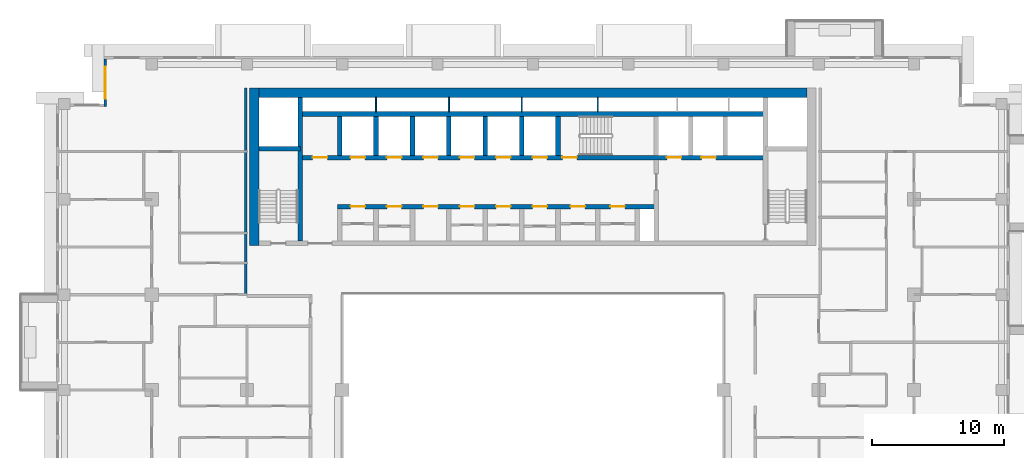
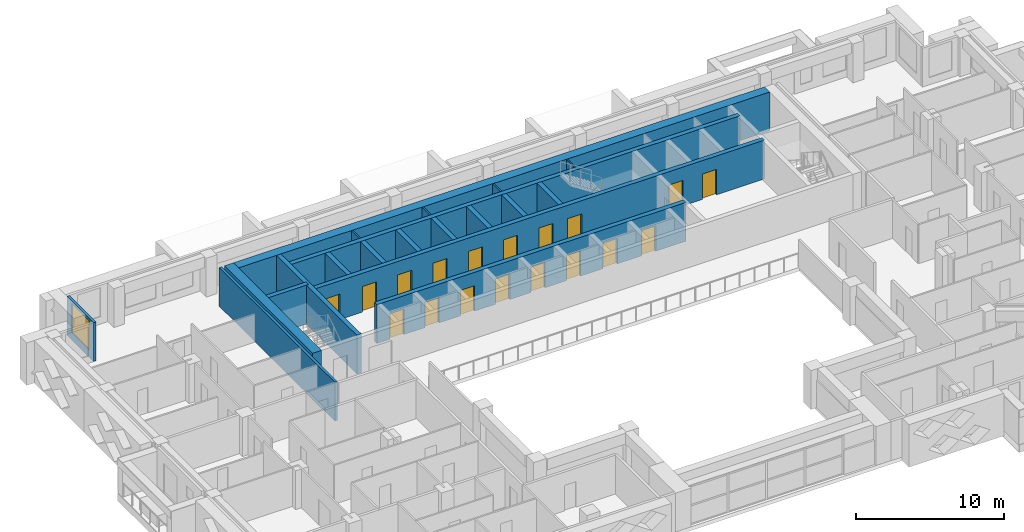
# One storey, part 10 of 20: 20 walls, 18 doors, 1 window, 19 openings.
"""IFC4 building model written with IfcOpenShell, lengths in metres."""

from ifc_helpers import new_model, si_unit, direction, frame, frame_2d, origin, place, context, subcontext, project, spatial, rectangle, extrude, material, layer, layer_set, type_object, element, fill, save


model = new_model("IFC4")

# Units and contexts
model_context = context("Model", 3, precision=1e-05, world=origin(), true_north=direction((0.0, 1.0)))
body_context = subcontext(model_context, "Body", "Model", "MODEL_VIEW")
ifc_project = project(units=[si_unit("LENGTHUNIT", "METRE"), si_unit("AREAUNIT", "SQUARE_METRE"), si_unit("VOLUMEUNIT", "CUBIC_METRE"), si_unit("PLANEANGLEUNIT", "RADIAN"), si_unit("MASSUNIT", "GRAM", prefix="KILO")], contexts=[model_context])

# Site, building, storey
site_placement = place(None, origin())
site = spatial("IfcSite", under=ifc_project, at=site_placement, CompositionType="ELEMENT")
building_placement = place(site_placement, origin())
building = spatial("IfcBuilding", under=site, at=building_placement, Name="Saffron Iwan Residences", CompositionType="ELEMENT")
storey_placement = place(building_placement, frame((0.0, 0.0, 143.0)))
storey = spatial("IfcBuildingStorey", under=building, at=storey_placement, Name="L37", CompositionType="ELEMENT", Elevation=143.0)

# Wall, opening, window
ifc_material_1 = material(Name="Concrete C40/50", Category="concrete")
ifc_layer_1 = layer(ifc_material_1, 0.199951171875)
ifc_layer_set_1 = layer_set([ifc_layer_1], Name="Concrete C40/50")
wall_type_1 = type_object("IfcWallType", Name="EXTERNAL WALL 200", PredefinedType="SOLIDWALL", material=ifc_layer_set_1)
wall_1_placement = place(storey_placement, frame((18.10009765625, 80.199951171875, 0.0), z_axis=(0.0, 0.0, 1.0), x_axis=(0.0, -1.0, 0.0)))
wall_1 = element("IfcWall", 1, at=wall_1_placement, inside=storey, type_object=wall_type_1, Name="External wall L37 F6.0", PredefinedType="SOLIDWALL", context=body_context, shape_type="SweptSolid", body=[
    extrude(rectangle(XDim=3.599853515625, YDim=0.199951171875, at=frame_2d((1.7998046875, 0.0))), origin(), (0.0, 0.0, 1.0), 3.199951171875),
])
opening_1_placement = place(wall_1_placement, frame((0.60009765625, 0.0, 0.60009765625)))
opening_1 = element("IfcOpeningElement", 2, at=opening_1_placement, cuts=wall_1, Name="Opening W1", PredefinedType="OPENING", context=body_context, shape_type="SweptSolid", body=[
    extrude(rectangle(XDim=2.39990234375, YDim=2.39990234375, at=frame_2d((1.199951171875, 1.199951171875))), frame((0.0, 0.10986328125, 0.0), z_axis=(0.0, -1.0, 0.0), x_axis=(1.0, 0.0, 0.0)), (0.0, 0.0, 1.0), 0.219970703125),
])
ifc_material_2 = material(Name="Clear glass, laminated double glazed", Category="glass")
window_type = type_object("IfcWindowType", Name="WINDOW 2400 x 2400", PartitioningType="DOUBLE_PANEL_VERTICAL", PredefinedType="WINDOW", material=ifc_material_2)
window_placement = place(opening_1_placement, origin())
window = element("IfcWindow", 3, at=window_placement, inside=storey, type_object=window_type, Name="Window L37 F6.0", OverallHeight=2.39990234375, OverallWidth=2.39990234375, PartitioningType="DOUBLE_PANEL_VERTICAL", PredefinedType="WINDOW", context=body_context, shape_type="SweptSolid", body=[
    extrude(rectangle(XDim=2.39990234375, YDim=2.39990234375, at=frame_2d((1.199951171875, 1.199951171875))), frame((0.0, 0.030029296875, 0.0), z_axis=(0.0, -1.0, 0.0), x_axis=(1.0, 0.0, 0.0)), (0.0, 0.0, 1.0), 0.06005859375),
])
fill(opening_1, window)

# Walls
ifc_material_3 = material(Name="Fire-rated gypsum board wall")
ifc_layer_2 = layer(ifc_material_3, 0.199951171875)
ifc_layer_set_2 = layer_set([ifc_layer_2], Name="Fire-rated gypsum board wall")
wall_type_2 = type_object("IfcWallType", Name="Gallery wall 200", PredefinedType="SOLIDWALL", material=ifc_layer_set_2)
wall_2_placement = place(storey_placement, frame((28.699951171875, 62.39990234375, 0.0), z_axis=(0.0, 0.0, 1.0), x_axis=(0.0, 1.0, 0.0)))
element("IfcWall", 4, at=wall_2_placement, inside=storey, type_object=wall_type_2, Name="W-L37-CORR-v28.8-62.4", PredefinedType="SOLIDWALL", context=body_context, shape_type="SweptSolid", body=[
    extrude(rectangle(XDim=15.60009765625, YDim=0.199951171875, at=frame_2d((7.800048828125, 0.0))), origin(), (0.0, 0.0, 1.0), 3.199951171875),
])
ifc_material_4 = material(Name="Fire-rated plasterboard partition")
ifc_layer_3 = layer(ifc_material_4, 0.10009765625)
ifc_layer_set_3 = layer_set([ifc_layer_3], Name="Fire-rated plasterboard partition")
wall_type_3 = type_object("IfcWallType", Name="Riser partition 100", PredefinedType="PARTITIONING", material=ifc_layer_set_3)
for number, where, z_axis, x_axis, name in (
    (5, (38.550048828125, 76.22509765625, 0.0), (0.0, 0.0, 1.0), (0.0, 1.0, 0.0), "Core partition P08"),
    (6, (44.050048828125, 76.22509765625, 0.0), (0.0, 0.0, 1.0), (0.0, 1.0, 0.0), "Core partition P09"),
    (7, (49.550048828125, 76.22509765625, 0.0), (0.0, 0.0, 1.0), (0.0, 1.0, 0.0), "Core partition P10"),
    (8, (55.300048828125, 76.22509765625, 0.0), (0.0, 0.0, 1.0), (0.0, 1.0, 0.0), "Core partition P11"),
):
    element("IfcWall", number, at=place(storey_placement, frame(where, z_axis=z_axis, x_axis=x_axis)), inside=storey, type_object=wall_type_3, Name=name, PredefinedType="PARTITIONING", context=body_context, shape_type="SweptSolid", body=[
        extrude(rectangle(XDim=1.074951171875, YDim=0.10009765625, at=frame_2d((0.53759765625, 0.0))), origin(), (0.0, 0.0, 1.0), 3.199951171875),
    ])

# Wall, openings, doors
ifc_material_5 = material(Name="Concrete C50/60", Category="concrete")
ifc_layer_4 = layer(ifc_material_5, 0.35009765625)
ifc_layer_set_4 = layer_set([ifc_layer_4], Name="Concrete C50/60")
wall_type_4 = type_object("IfcWallType", Name="WALL CORE 350 C50/60 3200 HIGH", PredefinedType="SHEAR", material=ifc_layer_set_4)
wall_3_placement = place(storey_placement, frame((35.625, 69.050048828125, 0.0), z_axis=(0.0, 0.0, 1.0), x_axis=(1.0, 0.0, 0.0)))
wall_3 = element("IfcWall", 9, at=wall_3_placement, inside=storey, type_object=wall_type_4, Name="Core wall", PredefinedType="SHEAR", context=body_context, shape_type="SweptSolid", body=[
    extrude(rectangle(XDim=24.10009765625, YDim=0.35009765625, at=frame_2d((12.050048828125, 0.0))), origin(), (0.0, 0.0, 1.0), 3.199951171875),
])
opening_2_placement = place(wall_3_placement, frame((1.0, 0.0, 0.0)))
opening_2 = element("IfcOpeningElement", 10, at=opening_2_placement, cuts=wall_3, Name="Opening SR", PredefinedType="OPENING", context=body_context, shape_type="SweptSolid", body=[
    extrude(rectangle(XDim=1.10009765625, YDim=2.10009765625, at=frame_2d((0.550048828125, 1.050048828125))), frame((0.0, 0.18505859375, 0.0), z_axis=(0.0, -1.0, 0.0), x_axis=(1.0, 0.0, 0.0)), (0.0, 0.0, 1.0), 0.3701171875),
])
opening_3_placement = place(wall_3_placement, frame((3.75, 0.0, 0.0)))
opening_3 = element("IfcOpeningElement", 11, at=opening_3_placement, cuts=wall_3, Name="Opening SR", PredefinedType="OPENING", context=body_context, shape_type="SweptSolid", body=[
    extrude(rectangle(XDim=1.10009765625, YDim=2.10009765625, at=frame_2d((0.550048828125, 1.050048828125))), frame((0.0, 0.18505859375, 0.0), z_axis=(0.0, -1.0, 0.0), x_axis=(1.0, 0.0, 0.0)), (0.0, 0.0, 1.0), 0.3701171875),
])
opening_4_placement = place(wall_3_placement, frame((6.5, 0.0, 0.0)))
opening_4 = element("IfcOpeningElement", 12, at=opening_4_placement, cuts=wall_3, Name="Opening SR", PredefinedType="OPENING", context=body_context, shape_type="SweptSolid", body=[
    extrude(rectangle(XDim=1.10009765625, YDim=2.10009765625, at=frame_2d((0.550048828125, 1.050048828125))), frame((0.0, 0.18505859375, 0.0), z_axis=(0.0, -1.0, 0.0), x_axis=(1.0, 0.0, 0.0)), (0.0, 0.0, 1.0), 0.3701171875),
])
opening_5_placement = place(wall_3_placement, frame((9.25, 0.0, 0.0)))
opening_5 = element("IfcOpeningElement", 13, at=opening_5_placement, cuts=wall_3, Name="Opening SR", PredefinedType="OPENING", context=body_context, shape_type="SweptSolid", body=[
    extrude(rectangle(XDim=1.10009765625, YDim=2.10009765625, at=frame_2d((0.550048828125, 1.050048828125))), frame((0.0, 0.18505859375, 0.0), z_axis=(0.0, -1.0, 0.0), x_axis=(1.0, 0.0, 0.0)), (0.0, 0.0, 1.0), 0.3701171875),
])
opening_6_placement = place(wall_3_placement, frame((12.0, 0.0, 0.0)))
opening_6 = element("IfcOpeningElement", 14, at=opening_6_placement, cuts=wall_3, Name="Opening SR", PredefinedType="OPENING", context=body_context, shape_type="SweptSolid", body=[
    extrude(rectangle(XDim=1.10009765625, YDim=2.10009765625, at=frame_2d((0.550048828125, 1.050048828125))), frame((0.0, 0.18505859375, 0.0), z_axis=(0.0, -1.0, 0.0), x_axis=(1.0, 0.0, 0.0)), (0.0, 0.0, 1.0), 0.3701171875),
])
opening_7_placement = place(wall_3_placement, frame((14.75, 0.0, 0.0)))
opening_7 = element("IfcOpeningElement", 15, at=opening_7_placement, cuts=wall_3, Name="Opening SR", PredefinedType="OPENING", context=body_context, shape_type="SweptSolid", body=[
    extrude(rectangle(XDim=1.10009765625, YDim=2.10009765625, at=frame_2d((0.550048828125, 1.050048828125))), frame((0.0, 0.18505859375, 0.0), z_axis=(0.0, -1.0, 0.0), x_axis=(1.0, 0.0, 0.0)), (0.0, 0.0, 1.0), 0.3701171875),
])
opening_8_placement = place(wall_3_placement, frame((17.625, 0.0, 0.0)))
opening_8 = element("IfcOpeningElement", 16, at=opening_8_placement, cuts=wall_3, Name="Opening SR", PredefinedType="OPENING", context=body_context, shape_type="SweptSolid", body=[
    extrude(rectangle(XDim=1.10009765625, YDim=2.10009765625, at=frame_2d((0.550048828125, 1.050048828125))), frame((0.0, 0.18505859375, 0.0), z_axis=(0.0, -1.0, 0.0), x_axis=(1.0, 0.0, 0.0)), (0.0, 0.0, 1.0), 0.3701171875),
])
opening_9_placement = place(wall_3_placement, frame((20.625, 0.0, 0.0)))
opening_9 = element("IfcOpeningElement", 17, at=opening_9_placement, cuts=wall_3, Name="Opening SR", PredefinedType="OPENING", context=body_context, shape_type="SweptSolid", body=[
    extrude(rectangle(XDim=1.10009765625, YDim=2.10009765625, at=frame_2d((0.550048828125, 1.050048828125))), frame((0.0, 0.18505859375, 0.0), z_axis=(0.0, -1.0, 0.0), x_axis=(1.0, 0.0, 0.0)), (0.0, 0.0, 1.0), 0.3701171875),
])
ifc_material_6 = material(Name="Steel fire door", Category="steel")
door_type_1 = type_object("IfcDoorType", Name="Service door 1100", OperationType="NOTDEFINED", PredefinedType="DOOR", material=ifc_material_6)
door_1_placement = place(opening_2_placement, origin())
door_1 = element("IfcDoor", 18, at=door_1_placement, inside=storey, type_object=door_type_1, Name="Door Switch room", OperationType="SINGLE_SWING_RIGHT", OverallHeight=2.10009765625, OverallWidth=1.10009765625, PredefinedType="DOOR", context=body_context, shape_type="SweptSolid", body=[
    extrude(rectangle(XDim=1.10009765625, YDim=2.10009765625, at=frame_2d((0.550048828125, 1.050048828125))), frame((0.0, 0.02490234375, 0.0), z_axis=(0.0, -1.0, 0.0), x_axis=(1.0, 0.0, 0.0)), (0.0, 0.0, 1.0), 0.050048828125),
])
fill(opening_2, door_1)
door_2_placement = place(opening_3_placement, origin())
door_2 = element("IfcDoor", 19, at=door_2_placement, inside=storey, type_object=door_type_1, Name="Door Furniture store", OperationType="SINGLE_SWING_LEFT", OverallHeight=2.10009765625, OverallWidth=1.10009765625, PredefinedType="DOOR", context=body_context, shape_type="SweptSolid", body=[
    extrude(rectangle(XDim=1.10009765625, YDim=2.10009765625, at=frame_2d((0.550048828125, 1.050048828125))), frame((0.0, 0.02490234375, 0.0), z_axis=(0.0, -1.0, 0.0), x_axis=(1.0, 0.0, 0.0)), (0.0, 0.0, 1.0), 0.050048828125),
])
fill(opening_3, door_2)
door_3_placement = place(opening_4_placement, origin())
door_3 = element("IfcDoor", 20, at=door_3_placement, inside=storey, type_object=door_type_1, Name="Door Housekeeping store", OperationType="SINGLE_SWING_RIGHT", OverallHeight=2.10009765625, OverallWidth=1.10009765625, PredefinedType="DOOR", context=body_context, shape_type="SweptSolid", body=[
    extrude(rectangle(XDim=1.10009765625, YDim=2.10009765625, at=frame_2d((0.550048828125, 1.050048828125))), frame((0.0, 0.02490234375, 0.0), z_axis=(0.0, -1.0, 0.0), x_axis=(1.0, 0.0, 0.0)), (0.0, 0.0, 1.0), 0.050048828125),
])
fill(opening_4, door_3)
door_4_placement = place(opening_5_placement, origin())
door_4 = element("IfcDoor", 21, at=door_4_placement, inside=storey, type_object=door_type_1, Name="Door Cleaner's store", OperationType="SINGLE_SWING_LEFT", OverallHeight=2.10009765625, OverallWidth=1.10009765625, PredefinedType="DOOR", context=body_context, shape_type="SweptSolid", body=[
    extrude(rectangle(XDim=1.10009765625, YDim=2.10009765625, at=frame_2d((0.550048828125, 1.050048828125))), frame((0.0, 0.02490234375, 0.0), z_axis=(0.0, -1.0, 0.0), x_axis=(1.0, 0.0, 0.0)), (0.0, 0.0, 1.0), 0.050048828125),
])
fill(opening_5, door_4)
door_5_placement = place(opening_6_placement, origin())
door_5 = element("IfcDoor", 22, at=door_5_placement, inside=storey, type_object=door_type_1, Name="Door Trolley store", OperationType="SINGLE_SWING_RIGHT", OverallHeight=2.10009765625, OverallWidth=1.10009765625, PredefinedType="DOOR", context=body_context, shape_type="SweptSolid", body=[
    extrude(rectangle(XDim=1.10009765625, YDim=2.10009765625, at=frame_2d((0.550048828125, 1.050048828125))), frame((0.0, 0.02490234375, 0.0), z_axis=(0.0, -1.0, 0.0), x_axis=(1.0, 0.0, 0.0)), (0.0, 0.0, 1.0), 0.050048828125),
])
fill(opening_6, door_5)
door_6_placement = place(opening_7_placement, origin())
door_6 = element("IfcDoor", 23, at=door_6_placement, inside=storey, type_object=door_type_1, Name="Door Communications room", OperationType="SINGLE_SWING_LEFT", OverallHeight=2.10009765625, OverallWidth=1.10009765625, PredefinedType="DOOR", context=body_context, shape_type="SweptSolid", body=[
    extrude(rectangle(XDim=1.10009765625, YDim=2.10009765625, at=frame_2d((0.550048828125, 1.050048828125))), frame((0.0, 0.02490234375, 0.0), z_axis=(0.0, -1.0, 0.0), x_axis=(1.0, 0.0, 0.0)), (0.0, 0.0, 1.0), 0.050048828125),
])
fill(opening_7, door_6)
door_7_placement = place(opening_8_placement, origin())
door_7 = element("IfcDoor", 24, at=door_7_placement, inside=storey, type_object=door_type_1, Name="Door Refuse store", OperationType="SINGLE_SWING_RIGHT", OverallHeight=2.10009765625, OverallWidth=1.10009765625, PredefinedType="DOOR", context=body_context, shape_type="SweptSolid", body=[
    extrude(rectangle(XDim=1.10009765625, YDim=2.10009765625, at=frame_2d((0.550048828125, 1.050048828125))), frame((0.0, 0.02490234375, 0.0), z_axis=(0.0, -1.0, 0.0), x_axis=(1.0, 0.0, 0.0)), (0.0, 0.0, 1.0), 0.050048828125),
])
fill(opening_8, door_7)
door_8_placement = place(opening_9_placement, origin())
door_8 = element("IfcDoor", 25, at=door_8_placement, inside=storey, type_object=door_type_1, Name="Door Maintenance store", OperationType="SINGLE_SWING_RIGHT", OverallHeight=2.10009765625, OverallWidth=1.10009765625, PredefinedType="DOOR", context=body_context, shape_type="SweptSolid", body=[
    extrude(rectangle(XDim=1.10009765625, YDim=2.10009765625, at=frame_2d((0.550048828125, 1.050048828125))), frame((0.0, 0.02490234375, 0.0), z_axis=(0.0, -1.0, 0.0), x_axis=(1.0, 0.0, 0.0)), (0.0, 0.0, 1.0), 0.050048828125),
])
fill(opening_9, door_8)

wall_4_placement = place(storey_placement, frame((32.824951171875, 72.75, 0.0), z_axis=(0.0, 0.0, 1.0), x_axis=(1.0, 0.0, 0.0)))
wall_4 = element("IfcWall", 26, at=wall_4_placement, inside=storey, type_object=wall_type_4, Name="Core wall", PredefinedType="SHEAR", context=body_context, shape_type="SweptSolid", body=[
    extrude(rectangle(XDim=35.150146484375, YDim=0.35009765625, at=frame_2d((17.5751953125, 0.0))), origin(), (0.0, 0.0, 1.0), 3.199951171875),
])
opening_10_placement = place(wall_4_placement, frame((19.800048828125, 0.0, 0.0)))
opening_10 = element("IfcOpeningElement", 27, at=opening_10_placement, cuts=wall_4, Name="Opening SD", PredefinedType="OPENING", context=body_context, shape_type="SweptSolid", body=[
    extrude(rectangle(XDim=1.10009765625, YDim=2.10009765625, at=frame_2d((0.550048828125, 1.050048828125))), frame((0.0, 0.18505859375, 0.0), z_axis=(0.0, -1.0, 0.0), x_axis=(1.0, 0.0, 0.0)), (0.0, 0.0, 1.0), 0.3701171875),
])
opening_11_placement = place(wall_4_placement, frame((27.699951171875, 0.0, 0.0)))
opening_11 = element("IfcOpeningElement", 28, at=opening_11_placement, cuts=wall_4, Name="Opening LD", PredefinedType="OPENING", context=body_context, shape_type="SweptSolid", body=[
    extrude(rectangle(XDim=1.10009765625, YDim=2.10009765625, at=frame_2d((0.550048828125, 1.050048828125))), frame((0.0, 0.18505859375, 0.0), z_axis=(0.0, -1.0, 0.0), x_axis=(1.0, 0.0, 0.0)), (0.0, 0.0, 1.0), 0.3701171875),
])
opening_12_placement = place(wall_4_placement, frame((30.300048828125, 0.0, 0.0)))
opening_12 = element("IfcOpeningElement", 29, at=opening_12_placement, cuts=wall_4, Name="Opening LD", PredefinedType="OPENING", context=body_context, shape_type="SweptSolid", body=[
    extrude(rectangle(XDim=1.10009765625, YDim=2.10009765625, at=frame_2d((0.550048828125, 1.050048828125))), frame((0.0, 0.18505859375, 0.0), z_axis=(0.0, -1.0, 0.0), x_axis=(1.0, 0.0, 0.0)), (0.0, 0.0, 1.0), 0.3701171875),
])
opening_13_placement = place(wall_4_placement, frame((3.800048828125, 0.0, 0.0)))
opening_13 = element("IfcOpeningElement", 30, at=opening_13_placement, cuts=wall_4, Name="Opening LD", PredefinedType="OPENING", context=body_context, shape_type="SweptSolid", body=[
    extrude(rectangle(XDim=1.10009765625, YDim=2.10009765625, at=frame_2d((0.550048828125, 1.050048828125))), frame((0.0, 0.18505859375, 0.0), z_axis=(0.0, -1.0, 0.0), x_axis=(1.0, 0.0, 0.0)), (0.0, 0.0, 1.0), 0.3701171875),
])
opening_14_placement = place(wall_4_placement, frame((6.550048828125, 0.0, 0.0)))
opening_14 = element("IfcOpeningElement", 31, at=opening_14_placement, cuts=wall_4, Name="Opening LD", PredefinedType="OPENING", context=body_context, shape_type="SweptSolid", body=[
    extrude(rectangle(XDim=1.10009765625, YDim=2.10009765625, at=frame_2d((0.550048828125, 1.050048828125))), frame((0.0, 0.18505859375, 0.0), z_axis=(0.0, -1.0, 0.0), x_axis=(1.0, 0.0, 0.0)), (0.0, 0.0, 1.0), 0.3701171875),
])
opening_15_placement = place(wall_4_placement, frame((9.300048828125, 0.0, 0.0)))
opening_15 = element("IfcOpeningElement", 32, at=opening_15_placement, cuts=wall_4, Name="Opening LD", PredefinedType="OPENING", context=body_context, shape_type="SweptSolid", body=[
    extrude(rectangle(XDim=1.10009765625, YDim=2.10009765625, at=frame_2d((0.550048828125, 1.050048828125))), frame((0.0, 0.18505859375, 0.0), z_axis=(0.0, -1.0, 0.0), x_axis=(1.0, 0.0, 0.0)), (0.0, 0.0, 1.0), 0.3701171875),
])
opening_16_placement = place(wall_4_placement, frame((12.050048828125, 0.0, 0.0)))
opening_16 = element("IfcOpeningElement", 33, at=opening_16_placement, cuts=wall_4, Name="Opening LD", PredefinedType="OPENING", context=body_context, shape_type="SweptSolid", body=[
    extrude(rectangle(XDim=1.10009765625, YDim=2.10009765625, at=frame_2d((0.550048828125, 1.050048828125))), frame((0.0, 0.18505859375, 0.0), z_axis=(0.0, -1.0, 0.0), x_axis=(1.0, 0.0, 0.0)), (0.0, 0.0, 1.0), 0.3701171875),
])
opening_17_placement = place(wall_4_placement, frame((14.800048828125, 0.0, 0.0)))
opening_17 = element("IfcOpeningElement", 34, at=opening_17_placement, cuts=wall_4, Name="Opening LD", PredefinedType="OPENING", context=body_context, shape_type="SweptSolid", body=[
    extrude(rectangle(XDim=1.10009765625, YDim=2.10009765625, at=frame_2d((0.550048828125, 1.050048828125))), frame((0.0, 0.18505859375, 0.0), z_axis=(0.0, -1.0, 0.0), x_axis=(1.0, 0.0, 0.0)), (0.0, 0.0, 1.0), 0.3701171875),
])
opening_18_placement = place(wall_4_placement, frame((17.550048828125, 0.0, 0.0)))
opening_18 = element("IfcOpeningElement", 35, at=opening_18_placement, cuts=wall_4, Name="Opening LD", PredefinedType="OPENING", context=body_context, shape_type="SweptSolid", body=[
    extrude(rectangle(XDim=1.10009765625, YDim=2.10009765625, at=frame_2d((0.550048828125, 1.050048828125))), frame((0.0, 0.18505859375, 0.0), z_axis=(0.0, -1.0, 0.0), x_axis=(1.0, 0.0, 0.0)), (0.0, 0.0, 1.0), 0.3701171875),
])
opening_19_placement = place(wall_4_placement, frame((0.9375, 0.0, 0.0)))
opening_19 = element("IfcOpeningElement", 36, at=opening_19_placement, cuts=wall_4, Name="Opening SR", PredefinedType="OPENING", context=body_context, shape_type="SweptSolid", body=[
    extrude(rectangle(XDim=1.10009765625, YDim=2.10009765625, at=frame_2d((0.550048828125, 1.050048828125))), frame((0.0, 0.18505859375, 0.0), z_axis=(0.0, -1.0, 0.0), x_axis=(1.0, 0.0, 0.0)), (0.0, 0.0, 1.0), 0.3701171875),
])
door_type_2 = type_object("IfcDoorType", Name="Lift landing door 1100", OperationType="SLIDING_TO_LEFT", PredefinedType="DOOR", material=ifc_material_6)
door_9_placement = place(opening_11_placement, origin())
door_9 = element("IfcDoor", 37, at=door_9_placement, inside=storey, type_object=door_type_2, Name="Landing doors FF1", OperationType="SLIDING_TO_LEFT", OverallHeight=2.10009765625, OverallWidth=1.10009765625, PredefinedType="DOOR", context=body_context, shape_type="SweptSolid", body=[
    extrude(rectangle(XDim=1.10009765625, YDim=2.10009765625, at=frame_2d((0.550048828125, 1.050048828125))), frame((0.0, 0.02490234375, 0.0), z_axis=(0.0, -1.0, 0.0), x_axis=(1.0, 0.0, 0.0)), (0.0, 0.0, 1.0), 0.050048828125),
])
fill(opening_11, door_9)
door_10_placement = place(opening_12_placement, origin())
door_10 = element("IfcDoor", 38, at=door_10_placement, inside=storey, type_object=door_type_2, Name="Landing doors FF2", OperationType="SLIDING_TO_LEFT", OverallHeight=2.10009765625, OverallWidth=1.10009765625, PredefinedType="DOOR", context=body_context, shape_type="SweptSolid", body=[
    extrude(rectangle(XDim=1.10009765625, YDim=2.10009765625, at=frame_2d((0.550048828125, 1.050048828125))), frame((0.0, 0.02490234375, 0.0), z_axis=(0.0, -1.0, 0.0), x_axis=(1.0, 0.0, 0.0)), (0.0, 0.0, 1.0), 0.050048828125),
])
fill(opening_12, door_10)
door_11_placement = place(opening_13_placement, origin())
door_11 = element("IfcDoor", 39, at=door_11_placement, inside=storey, type_object=door_type_2, Name="Landing doors HR1", OperationType="SLIDING_TO_LEFT", OverallHeight=2.10009765625, OverallWidth=1.10009765625, PredefinedType="DOOR", context=body_context, shape_type="SweptSolid", body=[
    extrude(rectangle(XDim=1.10009765625, YDim=2.10009765625, at=frame_2d((0.550048828125, 1.050048828125))), frame((0.0, 0.02490234375, 0.0), z_axis=(0.0, -1.0, 0.0), x_axis=(1.0, 0.0, 0.0)), (0.0, 0.0, 1.0), 0.050048828125),
])
fill(opening_13, door_11)
door_12_placement = place(opening_14_placement, origin())
door_12 = element("IfcDoor", 40, at=door_12_placement, inside=storey, type_object=door_type_2, Name="Landing doors HR2", OperationType="SLIDING_TO_LEFT", OverallHeight=2.10009765625, OverallWidth=1.10009765625, PredefinedType="DOOR", context=body_context, shape_type="SweptSolid", body=[
    extrude(rectangle(XDim=1.10009765625, YDim=2.10009765625, at=frame_2d((0.550048828125, 1.050048828125))), frame((0.0, 0.02490234375, 0.0), z_axis=(0.0, -1.0, 0.0), x_axis=(1.0, 0.0, 0.0)), (0.0, 0.0, 1.0), 0.050048828125),
])
fill(opening_14, door_12)
door_13_placement = place(opening_15_placement, origin())
door_13 = element("IfcDoor", 41, at=door_13_placement, inside=storey, type_object=door_type_2, Name="Landing doors HR3", OperationType="SLIDING_TO_LEFT", OverallHeight=2.10009765625, OverallWidth=1.10009765625, PredefinedType="DOOR", context=body_context, shape_type="SweptSolid", body=[
    extrude(rectangle(XDim=1.10009765625, YDim=2.10009765625, at=frame_2d((0.550048828125, 1.050048828125))), frame((0.0, 0.02490234375, 0.0), z_axis=(0.0, -1.0, 0.0), x_axis=(1.0, 0.0, 0.0)), (0.0, 0.0, 1.0), 0.050048828125),
])
fill(opening_15, door_13)
door_14_placement = place(opening_16_placement, origin())
door_14 = element("IfcDoor", 42, at=door_14_placement, inside=storey, type_object=door_type_2, Name="Landing doors HR4", OperationType="SLIDING_TO_LEFT", OverallHeight=2.10009765625, OverallWidth=1.10009765625, PredefinedType="DOOR", context=body_context, shape_type="SweptSolid", body=[
    extrude(rectangle(XDim=1.10009765625, YDim=2.10009765625, at=frame_2d((0.550048828125, 1.050048828125))), frame((0.0, 0.02490234375, 0.0), z_axis=(0.0, -1.0, 0.0), x_axis=(1.0, 0.0, 0.0)), (0.0, 0.0, 1.0), 0.050048828125),
])
fill(opening_16, door_14)
door_15_placement = place(opening_17_placement, origin())
door_15 = element("IfcDoor", 43, at=door_15_placement, inside=storey, type_object=door_type_2, Name="Landing doors HR5", OperationType="SLIDING_TO_LEFT", OverallHeight=2.10009765625, OverallWidth=1.10009765625, PredefinedType="DOOR", context=body_context, shape_type="SweptSolid", body=[
    extrude(rectangle(XDim=1.10009765625, YDim=2.10009765625, at=frame_2d((0.550048828125, 1.050048828125))), frame((0.0, 0.02490234375, 0.0), z_axis=(0.0, -1.0, 0.0), x_axis=(1.0, 0.0, 0.0)), (0.0, 0.0, 1.0), 0.050048828125),
])
fill(opening_17, door_15)
door_16_placement = place(opening_18_placement, origin())
door_16 = element("IfcDoor", 44, at=door_16_placement, inside=storey, type_object=door_type_2, Name="Landing doors HR6", OperationType="SLIDING_TO_LEFT", OverallHeight=2.10009765625, OverallWidth=1.10009765625, PredefinedType="DOOR", context=body_context, shape_type="SweptSolid", body=[
    extrude(rectangle(XDim=1.10009765625, YDim=2.10009765625, at=frame_2d((0.550048828125, 1.050048828125))), frame((0.0, 0.02490234375, 0.0), z_axis=(0.0, -1.0, 0.0), x_axis=(1.0, 0.0, 0.0)), (0.0, 0.0, 1.0), 0.050048828125),
])
fill(opening_18, door_16)
door_17_placement = place(opening_19_placement, origin())
door_17 = element("IfcDoor", 45, at=door_17_placement, inside=storey, type_object=door_type_1, Name="Door Caretaker's room", OperationType="SINGLE_SWING_LEFT", OverallHeight=2.10009765625, OverallWidth=1.10009765625, PredefinedType="DOOR", context=body_context, shape_type="SweptSolid", body=[
    extrude(rectangle(XDim=1.10009765625, YDim=2.10009765625, at=frame_2d((0.550048828125, 1.050048828125))), frame((0.0, 0.02490234375, 0.0), z_axis=(0.0, -1.0, 0.0), x_axis=(1.0, 0.0, 0.0)), (0.0, 0.0, 1.0), 0.050048828125),
])
fill(opening_19, door_17)
door_type_3 = type_object("IfcDoorType", Name="Stair door 1100", OperationType="NOTDEFINED", PredefinedType="DOOR", material=ifc_material_6)
door_18_placement = place(opening_10_placement, origin())
door_18 = element("IfcDoor", 46, at=door_18_placement, inside=storey, type_object=door_type_3, Name="Stair door ST-C", OperationType="SINGLE_SWING_LEFT", OverallHeight=2.10009765625, OverallWidth=1.10009765625, PredefinedType="DOOR", context=body_context, shape_type="SweptSolid", body=[
    extrude(rectangle(XDim=1.10009765625, YDim=2.10009765625, at=frame_2d((0.550048828125, 1.050048828125))), frame((0.0, 0.02490234375, 0.0), z_axis=(0.0, -1.0, 0.0), x_axis=(1.0, 0.0, 0.0)), (0.0, 0.0, 1.0), 0.050048828125),
])
fill(opening_10, door_18)

# Walls
wall_5_placement = place(storey_placement, frame((32.824951171875, 76.050048828125, 0.0), z_axis=(0.0, 0.0, 1.0), x_axis=(1.0, 0.0, 0.0)))
element("IfcWall", 47, at=wall_5_placement, inside=storey, type_object=wall_type_4, Name="Core wall", PredefinedType="SHEAR", context=body_context, shape_type="SweptSolid", body=[
    extrude(rectangle(XDim=35.150146484375, YDim=0.35009765625, at=frame_2d((17.5751953125, 0.0))), origin(), (0.0, 0.0, 1.0), 3.199951171875),
])
wall_6_placement = place(storey_placement, frame((29.699951171875, 73.425048828125, 0.0), z_axis=(0.0, 0.0, 1.0), x_axis=(1.0, 0.0, 0.0)))
element("IfcWall", 48, at=wall_6_placement, inside=storey, type_object=wall_type_4, Name="Core wall", PredefinedType="SHEAR", context=body_context, shape_type="SweptSolid", body=[
    extrude(rectangle(XDim=3.125, YDim=0.35009765625, at=frame_2d((1.5625, 0.0))), origin(), (0.0, 0.0, 1.0), 3.199951171875),
])
wall_7_placement = place(storey_placement, frame((32.824951171875, 66.449951171875, 0.0), z_axis=(0.0, 0.0, 1.0), x_axis=(0.0, 1.0, 0.0)))
element("IfcWall", 49, at=wall_7_placement, inside=storey, type_object=wall_type_4, Name="Core wall", PredefinedType="SHEAR", context=body_context, shape_type="SweptSolid", body=[
    extrude(rectangle(XDim=10.85009765625, YDim=0.35009765625, at=frame_2d((5.425048828125, 0.0))), origin(), (0.0, 0.0, 1.0), 3.199951171875),
])
for number, where, z_axis, x_axis, name in (
    (50, (35.800048828125, 72.925048828125, 0.0), (0.0, 0.0, 1.0), (0.0, 1.0, 0.0), "Core wall"),
    (51, (38.550048828125, 72.925048828125, 0.0), (0.0, 0.0, 1.0), (0.0, 1.0, 0.0), "Core wall"),
    (52, (41.300048828125, 72.925048828125, 0.0), (0.0, 0.0, 1.0), (0.0, 1.0, 0.0), "Core wall"),
    (53, (44.050048828125, 72.925048828125, 0.0), (0.0, 0.0, 1.0), (0.0, 1.0, 0.0), "Core wall"),
    (54, (46.800048828125, 72.925048828125, 0.0), (0.0, 0.0, 1.0), (0.0, 1.0, 0.0), "Core wall"),
    (55, (49.550048828125, 72.925048828125, 0.0), (0.0, 0.0, 1.0), (0.0, 1.0, 0.0), "Core wall"),
    (56, (52.300048828125, 72.925048828125, 0.0), (0.0, 0.0, 1.0), (0.0, 1.0, 0.0), "Core wall"),
):
    element("IfcWall", number, at=place(storey_placement, frame(where, z_axis=z_axis, x_axis=x_axis)), inside=storey, type_object=wall_type_4, Name=name, PredefinedType="SHEAR", context=body_context, shape_type="SweptSolid", body=[
        extrude(rectangle(XDim=2.949951171875, YDim=0.35009765625, at=frame_2d((1.47509765625, 0.0))), origin(), (0.0, 0.0, 1.0), 3.199951171875),
    ])
ifc_layer_5 = layer(ifc_material_5, 0.699951171875)
ifc_layer_set_5 = layer_set([ifc_layer_5], Name="Concrete C50/60")
wall_type_5 = type_object("IfcWallType", Name="WALL CORE 700 C50/60 3200 HIGH", PredefinedType="SHEAR", material=ifc_layer_set_5)
wall_8_placement = place(storey_placement, frame((29.35009765625, 66.10009765625, 0.0), z_axis=(0.0, 0.0, 1.0), x_axis=(0.0, 1.0, 0.0)))
element("IfcWall", 57, at=wall_8_placement, inside=storey, type_object=wall_type_5, Name="Core wall", PredefinedType="SHEAR", context=body_context, shape_type="SweptSolid", body=[
    extrude(rectangle(XDim=11.89990234375, YDim=0.699951171875, at=frame_2d((5.949951171875, 0.0))), origin(), (0.0, 0.0, 1.0), 3.199951171875),
])
wall_9_placement = place(storey_placement, frame((29.699951171875, 77.64990234375, 0.0), z_axis=(0.0, 0.0, 1.0), x_axis=(1.0, 0.0, 0.0)))
element("IfcWall", 58, at=wall_9_placement, inside=storey, type_object=wall_type_5, Name="Core wall", PredefinedType="SHEAR", context=body_context, shape_type="SweptSolid", body=[
    extrude(rectangle(XDim=41.400146484375, YDim=0.699951171875, at=frame_2d((20.7001953125, 0.0))), origin(), (0.0, 0.0, 1.0), 3.199951171875),
])

save(model, "model.ifc")
